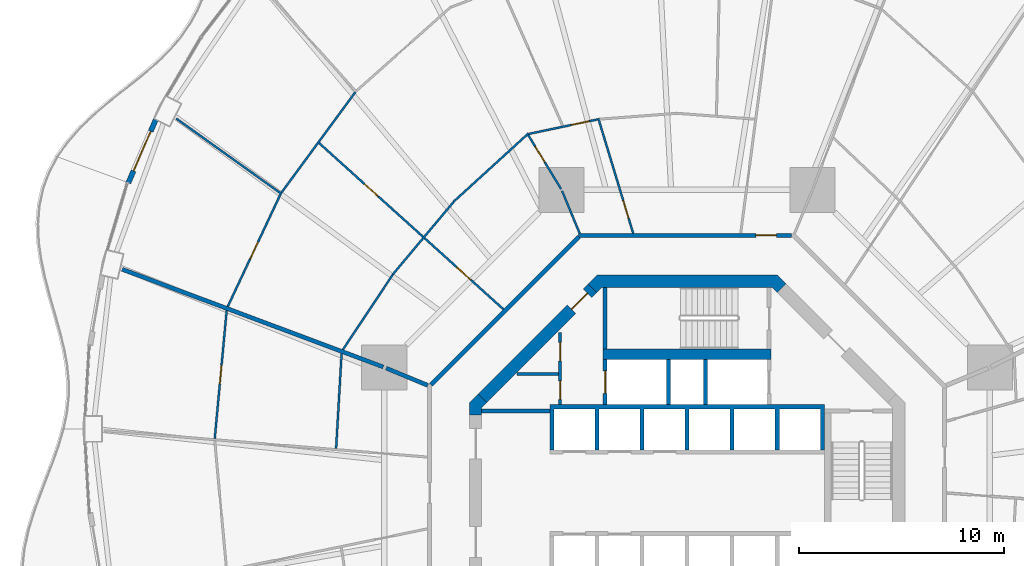
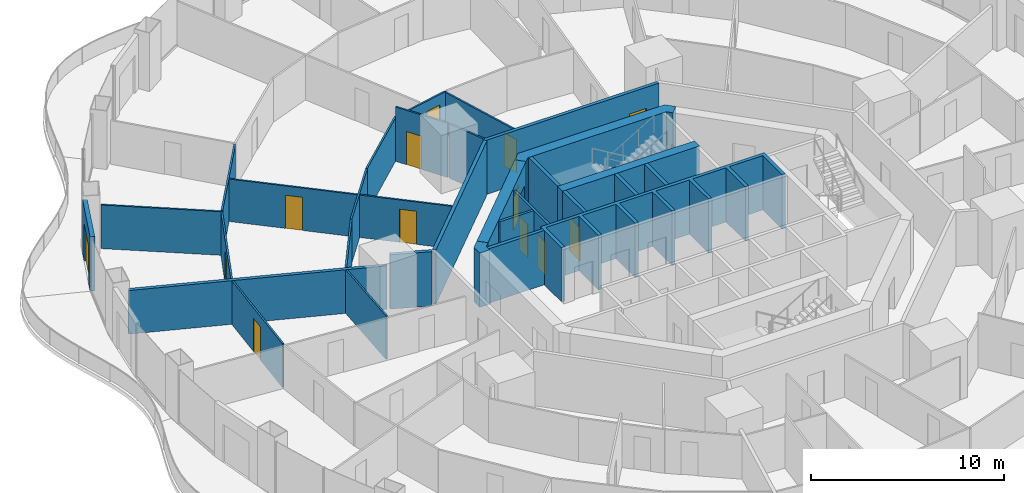
# One storey, part 17 of 22: 30 walls, 13 doors, 13 openings.
"""IFC4 building model written with IfcOpenShell, lengths in metres."""

from ifc_helpers import new_model, si_unit, direction, frame, frame_2d, origin, place, context, subcontext, project, spatial, polyline, rectangle, outline, extrude, material, layer, layer_set, type_object, element, fill, save


model = new_model("IFC4")

# Units and contexts
model_context = context("Model", 3, precision=1e-05, world=origin(), true_north=direction((0.0, 1.0)))
body_context = subcontext(model_context, "Body", "Model", "MODEL_VIEW")
ifc_project = project(units=[si_unit("LENGTHUNIT", "METRE"), si_unit("AREAUNIT", "SQUARE_METRE"), si_unit("VOLUMEUNIT", "CUBIC_METRE"), si_unit("PLANEANGLEUNIT", "RADIAN"), si_unit("MASSUNIT", "GRAM", prefix="KILO")], contexts=[model_context])

# Site, building, storey
site_placement = place(None, origin())
site = spatial("IfcSite", under=ifc_project, at=site_placement, CompositionType="ELEMENT")
building_placement = place(site_placement, origin())
building = spatial("IfcBuilding", under=site, at=building_placement, Name="Nagisa Residences", CompositionType="ELEMENT")
storey_placement = place(building_placement, frame((0.0, 0.0, 77.0)))
storey = spatial("IfcBuildingStorey", under=building, at=storey_placement, Name="L18", CompositionType="ELEMENT", Elevation=77.0)

# Walls
ifc_material_1 = material(Name="Gypsum board on steel studs", Category="steel")
ifc_layer_1 = layer(ifc_material_1, 0.199951171875)
ifc_layer_set_1 = layer_set([ifc_layer_1], Name="Apartment compartment wall EI60 200")
wall_type_1 = type_object("IfcWallType", Name="Apartment compartment wall EI60 200", PredefinedType="PARTITIONING", material=ifc_layer_set_1)
wall_1_placement = place(storey_placement, frame((-12.6572265625, 5.24267578125, 0.0), z_axis=(0.0, 0.0, 1.0), x_axis=(-0.923843626288, 0.382770106157, 0.0)))
element("IfcWall", 1, at=wall_1_placement, inside=storey, type_object=wall_type_1, Name="wall:L18:u02", PredefinedType="PARTITIONING", context=body_context, shape_type="SweptSolid", body=[
    extrude(rectangle(XDim=2.19921875, YDim=0.199951171875, at=frame_2d((1.099609375, 0.0))), origin(), (0.0, 0.0, 1.0), 3.43994140625),
])
wall_2_placement = place(storey_placement, frame((-14.828857421875, 6.140380859375, 0.0), z_axis=(0.0, 0.0, 1.0), x_axis=(-0.936597324342, 0.35040755134, 0.0)))
element("IfcWall", 2, at=wall_2_placement, inside=storey, type_object=wall_type_1, Name="wall:L18:u03", PredefinedType="PARTITIONING", context=body_context, shape_type="SweptSolid", body=[
    extrude(rectangle(XDim=13.605712890625, YDim=0.199951171875, at=frame_2d((6.802734375, 0.0))), origin(), (0.0, 0.0, 1.0), 2.761962890625),
])

# Wall, opening, door
ifc_material_2 = material(Name="Gypsum board on steel studs", Category="steel")
ifc_layer_2 = layer(ifc_material_2, 0.199951171875)
ifc_layer_set_2 = layer_set([ifc_layer_2], Name="Apartment entry wall EI60 200")
wall_type_2 = type_object("IfcWallType", Name="Apartment entry wall EI60 200", PredefinedType="PARTITIONING", material=ifc_layer_set_2)
wall_3_placement = place(storey_placement, frame((5.1044921875, 12.564697265625, 0.0), z_axis=(0.0, 0.0, 1.0), x_axis=(-1.0, 0.0, 0.0)))
wall_3 = element("IfcWall", 3, at=wall_3_placement, inside=storey, type_object=wall_type_2, Name="wall:L18:u10", PredefinedType="PARTITIONING", context=body_context, shape_type="SweptSolid", body=[
    extrude(rectangle(XDim=10.408935546875, YDim=0.199951171875, at=frame_2d((5.20458984375, 0.0))), origin(), (0.0, 0.0, 1.0), 3.43994140625),
])
opening_1_placement = place(wall_3_placement, frame((0.751220703125, 0.0, 0.0)))
opening_1 = element("IfcOpeningElement", 4, at=opening_1_placement, cuts=wall_3, Name="Opening L18-U01", PredefinedType="OPENING", context=body_context, shape_type="SweptSolid", body=[
    extrude(rectangle(XDim=1.0, YDim=2.10009765625, at=frame_2d((0.5, 1.050048828125))), frame((0.0, 0.10986328125, 0.0), z_axis=(0.0, -1.0, 0.0), x_axis=(1.0, 0.0, 0.0)), (0.0, 0.0, 1.0), 0.219970703125),
])
ifc_material_3 = material(Name="Timber fire door set", Category="wood")
door_type_1 = type_object("IfcDoorType", Name="Apartment entry door FD30S 1000x2100", OperationType="NOTDEFINED", PredefinedType="DOOR", material=ifc_material_3)
door_1_placement = place(opening_1_placement, frame((1.0, 0.0, 0.0), x_axis=(-1.0, 0.0, 0.0)))
door_1 = element("IfcDoor", 5, at=door_1_placement, inside=storey, type_object=door_type_1, Name="Entry door, Apartment 18A", OperationType="SINGLE_SWING_RIGHT", OverallHeight=2.10009765625, OverallWidth=1.0, PredefinedType="DOOR", context=body_context, shape_type="SweptSolid", body=[
    extrude(rectangle(XDim=1.0, YDim=2.10009765625, at=frame_2d((0.5, 1.050048828125))), frame((0.0, 0.02490234375, 0.0), z_axis=(0.0, -1.0, 0.0), x_axis=(1.0, 0.0, 0.0)), (0.0, 0.0, 1.0), 0.050048828125),
])
fill(opening_1, door_1)

# Wall
wall_4_placement = place(storey_placement, frame((-5.275146484375, 12.494140625, 0.0), z_axis=(0.0, 0.0, 1.0), x_axis=(-0.707106781187, -0.707106781187, 0.0)))
element("IfcWall", 6, at=wall_4_placement, inside=storey, type_object=wall_type_2, Name="wall:L18:u11", PredefinedType="PARTITIONING", context=body_context, shape_type="SweptSolid", body=[
    extrude(rectangle(XDim=10.209228515625, YDim=0.199951171875, at=frame_2d((5.1044921875, 0.0))), origin(), (0.0, 0.0, 1.0), 3.43994140625),
])

# Wall, opening, door
ifc_material_4 = material(Name="Gypsum board on steel studs", Category="steel")
ifc_layer_3 = layer(ifc_material_4, 0.10009765625)
ifc_layer_set_3 = layer_set([ifc_layer_3], Name="Apartment partition 100")
wall_type_3 = type_object("IfcWallType", Name="Apartment partition 100", PredefinedType="PARTITIONING", material=ifc_layer_set_3)
wall_5_placement = place(storey_placement, frame((-2.63134765625, 12.660400390625, 0.0), z_axis=(0.0, 0.0, 1.0), x_axis=(-0.290145836284, 0.956982441682, 0.0)))
wall_5 = element("IfcWall", 7, at=wall_5_placement, inside=storey, type_object=wall_type_3, Name="wall:L18:u38", PredefinedType="PARTITIONING", context=body_context, shape_type="SweptSolid", body=[
    extrude(rectangle(XDim=5.873291015625, YDim=0.10009765625, at=frame_2d((2.9365234375, 0.0))), origin(), (0.0, 0.0, 1.0), 2.68701171875),
])
opening_2_placement = place(wall_5_placement, frame((0.772216796875, 0.0, 0.0)))
opening_2 = element("IfcOpeningElement", 8, at=opening_2_placement, cuts=wall_5, Name="Opening L18-U04", PredefinedType="OPENING", context=body_context, shape_type="SweptSolid", body=[
    extrude(rectangle(XDim=0.89990234375, YDim=2.10009765625, at=frame_2d((0.449951171875, 1.050048828125))), frame((0.0, 0.06005859375, 0.0), z_axis=(0.0, -1.0, 0.0), x_axis=(1.0, 0.0, 0.0)), (0.0, 0.0, 1.0), 0.1201171875),
])
ifc_material_5 = material(Name="Timber door set", Category="wood")
door_type_2 = type_object("IfcDoorType", Name="Apartment door 900x2100", OperationType="NOTDEFINED", PredefinedType="DOOR", material=ifc_material_5)
door_2_placement = place(opening_2_placement, origin())
door_2 = element("IfcDoor", 9, at=door_2_placement, inside=storey, type_object=door_type_2, Name="Door to laundry, Apartment 18A", OperationType="SINGLE_SWING_RIGHT", OverallHeight=2.10009765625, OverallWidth=0.89990234375, PredefinedType="DOOR", context=body_context, shape_type="SweptSolid", body=[
    extrude(rectangle(XDim=0.89990234375, YDim=2.10009765625, at=frame_2d((0.449951171875, 1.050048828125))), frame((0.0, 0.02490234375, 0.0), z_axis=(0.0, -1.0, 0.0), x_axis=(1.0, 0.0, 0.0)), (0.0, 0.0, 1.0), 0.050048828125),
])
fill(opening_2, door_2)

wall_6_placement = place(storey_placement, frame((-4.369873046875, 18.222900390625, 0.0), z_axis=(0.0, 0.0, 1.0), x_axis=(-0.978619056583, -0.205681166112, 0.0)))
wall_6 = element("IfcWall", 10, at=wall_6_placement, inside=storey, type_object=wall_type_3, Name="wall:L18:u39", PredefinedType="PARTITIONING", context=body_context, shape_type="SweptSolid", body=[
    extrude(rectangle(XDim=3.4375, YDim=0.10009765625, at=frame_2d((1.71875, 0.0))), origin(), (0.0, 0.0, 1.0), 2.761962890625),
])
opening_3_placement = place(wall_6_placement, frame((0.409423828125, 0.0, 0.0)))
opening_3 = element("IfcOpeningElement", 11, at=opening_3_placement, cuts=wall_6, Name="Opening L18-U09", PredefinedType="OPENING", context=body_context, shape_type="SweptSolid", body=[
    extrude(rectangle(XDim=0.89990234375, YDim=2.10009765625, at=frame_2d((0.449951171875, 1.050048828125))), frame((0.0, 0.06005859375, 0.0), z_axis=(0.0, -1.0, 0.0), x_axis=(1.0, 0.0, 0.0)), (0.0, 0.0, 1.0), 0.1201171875),
])
door_3_placement = place(opening_3_placement, frame((0.89990234375, 0.0, 0.0), x_axis=(-1.0, 0.0, 0.0)))
door_3 = element("IfcDoor", 12, at=door_3_placement, inside=storey, type_object=door_type_2, Name="Door to dining room, Apartment 18A", OperationType="SINGLE_SWING_RIGHT", OverallHeight=2.10009765625, OverallWidth=0.89990234375, PredefinedType="DOOR", context=body_context, shape_type="SweptSolid", body=[
    extrude(rectangle(XDim=0.89990234375, YDim=2.10009765625, at=frame_2d((0.449951171875, 1.050048828125))), frame((0.0, 0.02490234375, 0.0), z_axis=(0.0, -1.0, 0.0), x_axis=(1.0, 0.0, 0.0)), (0.0, 0.0, 1.0), 0.050048828125),
])
fill(opening_3, door_3)

# Wall
wall_7_placement = place(storey_placement, frame((-5.24267578125, 12.6572265625, 0.0), z_axis=(0.0, 0.0, 1.0), x_axis=(-0.382703272338, 0.923871314276, 0.0)))
element("IfcWall", 13, at=wall_7_placement, inside=storey, type_object=wall_type_3, Name="wall:L18:u42", PredefinedType="PARTITIONING", context=body_context, shape_type="SweptSolid", body=[
    extrude(rectangle(XDim=2.249267578125, YDim=0.10009765625, at=frame_2d((1.12451171875, 0.0))), origin(), (0.0, 0.0, 1.0), 3.43994140625),
])

# Wall, opening, door
wall_8_placement = place(storey_placement, frame((-6.14892578125, 14.82470703125, 0.0), z_axis=(0.0, 0.0, 1.0), x_axis=(-0.520433196839, 0.853902387646, 0.0)))
wall_8 = element("IfcWall", 14, at=wall_8_placement, inside=storey, type_object=wall_type_3, Name="wall:L18:u43", PredefinedType="PARTITIONING", context=body_context, shape_type="SweptSolid", body=[
    extrude(rectangle(XDim=3.089599609375, YDim=0.10009765625, at=frame_2d((1.544921875, 0.0))), origin(), (0.0, 0.0, 1.0), 3.43994140625),
])
opening_4_placement = place(wall_8_placement, frame((1.54150390625, 0.0, 0.0)))
opening_4 = element("IfcOpeningElement", 15, at=opening_4_placement, cuts=wall_8, Name="Opening L18-U05", PredefinedType="OPENING", context=body_context, shape_type="SweptSolid", body=[
    extrude(rectangle(XDim=0.89990234375, YDim=2.10009765625, at=frame_2d((0.449951171875, 1.050048828125))), frame((0.0, 0.06005859375, 0.0), z_axis=(0.0, -1.0, 0.0), x_axis=(1.0, 0.0, 0.0)), (0.0, 0.0, 1.0), 0.1201171875),
])
door_4_placement = place(opening_4_placement, origin())
door_4 = element("IfcDoor", 16, at=door_4_placement, inside=storey, type_object=door_type_2, Name="Door to store, Apartment 18A", OperationType="SINGLE_SWING_LEFT", OverallHeight=2.10009765625, OverallWidth=0.89990234375, PredefinedType="DOOR", context=body_context, shape_type="SweptSolid", body=[
    extrude(rectangle(XDim=0.89990234375, YDim=2.10009765625, at=frame_2d((0.449951171875, 1.050048828125))), frame((0.0, 0.02490234375, 0.0), z_axis=(0.0, -1.0, 0.0), x_axis=(1.0, 0.0, 0.0)), (0.0, 0.0, 1.0), 0.050048828125),
])
fill(opening_4, door_4)

# Walls
wall_9_placement = place(storey_placement, frame((-7.745849609375, 17.539306640625, 0.0), z_axis=(0.0, 0.0, 1.0), x_axis=(-0.738860434967, -0.673858484877, 0.0)))
element("IfcWall", 17, at=wall_9_placement, inside=storey, type_object=wall_type_3, Name="wall:L18:u44", PredefinedType="PARTITIONING", context=body_context, shape_type="SweptSolid", body=[
    extrude(rectangle(XDim=4.946533203125, YDim=0.10009765625, at=frame_2d((2.47314453125, 0.0))), origin(), (0.0, 0.0, 1.0), 2.761962890625),
])
wall_10_placement = place(storey_placement, frame((-11.39599609375, 14.20166015625, 0.0), z_axis=(0.0, 0.0, 1.0), x_axis=(-0.642475660273, -0.766306091557, 0.0)))
element("IfcWall", 18, at=wall_10_placement, inside=storey, type_object=wall_type_3, Name="wall:L18:u46", PredefinedType="PARTITIONING", context=body_context, shape_type="SweptSolid", body=[
    extrude(rectangle(XDim=4.63720703125, YDim=0.10009765625, at=frame_2d((2.318603515625, 0.0))), origin(), (0.0, 0.0, 1.0), 2.761962890625),
])
wall_11_placement = place(storey_placement, frame((-16.197265625, 19.55126953125, 0.0), z_axis=(0.0, 0.0, 1.0), x_axis=(-0.592391983588, -0.80564988536, 0.0)))
element("IfcWall", 19, at=wall_11_placement, inside=storey, type_object=wall_type_3, Name="wall:L18:u48", PredefinedType="PARTITIONING", context=body_context, shape_type="SweptSolid", body=[
    extrude(rectangle(XDim=6.080078125, YDim=0.10009765625, at=frame_2d((3.0400390625, 0.0))), origin(), (0.0, 0.0, 1.0), 2.761962890625),
])

# Wall, openings, doors
wall_12_placement = place(storey_placement, frame((-8.958984375, 8.95166015625, 0.0), z_axis=(0.0, 0.0, 1.0), x_axis=(-0.742679904999, 0.669646592398, 0.0)))
wall_12 = element("IfcWall", 20, at=wall_12_placement, inside=storey, type_object=wall_type_3, Name="wall:L18:u49", PredefinedType="PARTITIONING", context=body_context, shape_type="SweptSolid", body=[
    extrude(rectangle(XDim=12.121337890625, YDim=0.10009765625, at=frame_2d((6.060546875, 0.0))), origin(), (0.0, 0.0, 1.0), 2.68701171875),
])
opening_5_placement = place(wall_12_placement, frame((2.172119140625, 0.0, 0.0)))
opening_5 = element("IfcOpeningElement", 21, at=opening_5_placement, cuts=wall_12, Name="Opening L18-U06", PredefinedType="OPENING", context=body_context, shape_type="SweptSolid", body=[
    extrude(rectangle(XDim=0.89990234375, YDim=2.10009765625, at=frame_2d((0.449951171875, 1.050048828125))), frame((0.0, 0.06005859375, 0.0), z_axis=(0.0, -1.0, 0.0), x_axis=(1.0, 0.0, 0.0)), (0.0, 0.0, 1.0), 0.1201171875),
])
opening_6_placement = place(wall_12_placement, frame((8.232666015625, 0.0, 0.0)))
opening_6 = element("IfcOpeningElement", 22, at=opening_6_placement, cuts=wall_12, Name="Opening L18-U11", PredefinedType="OPENING", context=body_context, shape_type="SweptSolid", body=[
    extrude(rectangle(XDim=0.89990234375, YDim=2.10009765625, at=frame_2d((0.449951171875, 1.050048828125))), frame((0.0, 0.06005859375, 0.0), z_axis=(0.0, -1.0, 0.0), x_axis=(1.0, 0.0, 0.0)), (0.0, 0.0, 1.0), 0.1201171875),
])
door_5_placement = place(opening_5_placement, origin())
door_5 = element("IfcDoor", 23, at=door_5_placement, inside=storey, type_object=door_type_2, Name="Door to laundry, Apartment 18A", OperationType="SINGLE_SWING_RIGHT", OverallHeight=2.10009765625, OverallWidth=0.89990234375, PredefinedType="DOOR", context=body_context, shape_type="SweptSolid", body=[
    extrude(rectangle(XDim=0.89990234375, YDim=2.10009765625, at=frame_2d((0.449951171875, 1.050048828125))), frame((0.0, 0.02490234375, 0.0), z_axis=(0.0, -1.0, 0.0), x_axis=(1.0, 0.0, 0.0)), (0.0, 0.0, 1.0), 0.050048828125),
])
fill(opening_5, door_5)
door_6_placement = place(opening_6_placement, origin())
door_6 = element("IfcDoor", 24, at=door_6_placement, inside=storey, type_object=door_type_2, Name="Door to dining room, Apartment 18A", OperationType="SINGLE_SWING_LEFT", OverallHeight=2.10009765625, OverallWidth=0.89990234375, PredefinedType="DOOR", context=body_context, shape_type="SweptSolid", body=[
    extrude(rectangle(XDim=0.89990234375, YDim=2.10009765625, at=frame_2d((0.449951171875, 1.050048828125))), frame((0.0, 0.02490234375, 0.0), z_axis=(0.0, -1.0, 0.0), x_axis=(1.0, 0.0, 0.0)), (0.0, 0.0, 1.0), 0.050048828125),
])
fill(opening_6, door_6)

# Walls
wall_13_placement = place(storey_placement, frame((-14.370849609375, 10.64501953125, 0.0), z_axis=(0.0, 0.0, 1.0), x_axis=(-0.553341009285, -0.832954817168, 0.0)))
element("IfcWall", 25, at=wall_13_placement, inside=storey, type_object=wall_type_3, Name="wall:L18:u50", PredefinedType="PARTITIONING", context=body_context, shape_type="SweptSolid", body=[
    extrude(rectangle(XDim=4.396240234375, YDim=0.10009765625, at=frame_2d((2.1982421875, 0.0))), origin(), (0.0, 0.0, 1.0), 2.761962890625),
])
wall_14_placement = place(storey_placement, frame((-19.7880859375, 14.58349609375, 0.0), z_axis=(0.0, 0.0, 1.0), x_axis=(-0.813175286569, 0.58201885993, 0.0)))
element("IfcWall", 26, at=wall_14_placement, inside=storey, type_object=wall_type_3, Name="wall:L18:u51", PredefinedType="PARTITIONING", context=body_context, shape_type="SweptSolid", body=[
    extrude(rectangle(XDim=6.32861328125, YDim=0.10009765625, at=frame_2d((3.164306640625, 0.0))), origin(), (0.0, 0.0, 1.0), 2.761962890625),
])

# Wall, opening, door
wall_15_placement = place(storey_placement, frame((-19.85009765625, 14.5673828125, 0.0), z_axis=(0.0, 0.0, 1.0), x_axis=(-0.424942210745, -0.905220480064, 0.0)))
wall_15 = element("IfcWall", 27, at=wall_15_placement, inside=storey, type_object=wall_type_3, Name="wall:L18:u52", PredefinedType="PARTITIONING", context=body_context, shape_type="SweptSolid", body=[
    extrude(rectangle(XDim=6.05322265625, YDim=0.10009765625, at=frame_2d((3.026611328125, 0.0))), origin(), (0.0, 0.0, 1.0), 2.761962890625),
])
opening_7_placement = place(wall_15_placement, frame((2.57666015625, 0.0, 0.0)))
opening_7 = element("IfcOpeningElement", 28, at=opening_7_placement, cuts=wall_15, Name="Opening L18-U18", PredefinedType="OPENING", context=body_context, shape_type="SweptSolid", body=[
    extrude(rectangle(XDim=0.89990234375, YDim=2.10009765625, at=frame_2d((0.449951171875, 1.050048828125))), frame((0.0, 0.06005859375, 0.0), z_axis=(0.0, -1.0, 0.0), x_axis=(1.0, 0.0, 0.0)), (0.0, 0.0, 1.0), 0.1201171875),
])
door_7_placement = place(opening_7_placement, frame((0.89990234375, 0.0, 0.0), x_axis=(-1.0, 0.0, 0.0)))
door_7 = element("IfcDoor", 29, at=door_7_placement, inside=storey, type_object=door_type_2, Name="Door to dining room, Apartment 18A", OperationType="SINGLE_SWING_LEFT", OverallHeight=2.10009765625, OverallWidth=0.89990234375, PredefinedType="DOOR", context=body_context, shape_type="SweptSolid", body=[
    extrude(rectangle(XDim=0.89990234375, YDim=2.10009765625, at=frame_2d((0.449951171875, 1.050048828125))), frame((0.0, 0.02490234375, 0.0), z_axis=(0.0, -1.0, 0.0), x_axis=(1.0, 0.0, 0.0)), (0.0, 0.0, 1.0), 0.050048828125),
])
fill(opening_7, door_7)

# Wall
wall_16_placement = place(storey_placement, frame((-16.864501953125, 6.800048828125, 0.0), z_axis=(0.0, 0.0, 1.0), x_axis=(-0.057758567218, -0.998330580476, 0.0)))
element("IfcWall", 30, at=wall_16_placement, inside=storey, type_object=wall_type_3, Name="wall:L18:u53", PredefinedType="PARTITIONING", context=body_context, shape_type="SweptSolid", body=[
    extrude(rectangle(XDim=4.649658203125, YDim=0.10009765625, at=frame_2d((2.32470703125, 0.0))), origin(), (0.0, 0.0, 1.0), 2.761962890625),
])

# Wall, opening, door
wall_17_placement = place(storey_placement, frame((-22.47412109375, 8.897705078125, 0.0), z_axis=(0.0, 0.0, 1.0), x_axis=(-0.092756864489, -0.995688788774, 0.0)))
wall_17 = element("IfcWall", 31, at=wall_17_placement, inside=storey, type_object=wall_type_3, Name="wall:L18:u54", PredefinedType="PARTITIONING", context=body_context, shape_type="SweptSolid", body=[
    extrude(rectangle(XDim=6.28271484375, YDim=0.10009765625, at=frame_2d((3.141357421875, 0.0))), origin(), (0.0, 0.0, 1.0), 2.761962890625),
])
opening_8_placement = place(wall_17_placement, frame((2.69140625, 0.0, 0.0)))
opening_8 = element("IfcOpeningElement", 32, at=opening_8_placement, cuts=wall_17, Name="Opening L18-U27", PredefinedType="OPENING", context=body_context, shape_type="SweptSolid", body=[
    extrude(rectangle(XDim=0.89990234375, YDim=2.10009765625, at=frame_2d((0.449951171875, 1.050048828125))), frame((0.0, 0.06005859375, 0.0), z_axis=(0.0, -1.0, 0.0), x_axis=(1.0, 0.0, 0.0)), (0.0, 0.0, 1.0), 0.1201171875),
])
door_8_placement = place(opening_8_placement, frame((0.89990234375, 0.0, 0.0), x_axis=(-1.0, 0.0, 0.0)))
door_8 = element("IfcDoor", 33, at=door_8_placement, inside=storey, type_object=door_type_2, Name="Door to master bedroom, Apartment 18B", OperationType="SINGLE_SWING_RIGHT", OverallHeight=2.10009765625, OverallWidth=0.89990234375, PredefinedType="DOOR", context=body_context, shape_type="SweptSolid", body=[
    extrude(rectangle(XDim=0.89990234375, YDim=2.10009765625, at=frame_2d((0.449951171875, 1.050048828125))), frame((0.0, 0.02490234375, 0.0), z_axis=(0.0, -1.0, 0.0), x_axis=(1.0, 0.0, 0.0)), (0.0, 0.0, 1.0), 0.050048828125),
])
fill(opening_8, door_8)

ifc_material_6 = material(Name="Precast concrete C40/50", Category="concrete")
ifc_layer_4 = layer(ifc_material_6, 0.25)
ifc_layer_set_4 = layer_set([ifc_layer_4], Name="BALCONY DOOR WALL 250")
wall_type_4 = type_object("IfcWallType", Name="BALCONY DOOR WALL 250", PredefinedType="SOLIDWALL", material=ifc_layer_set_4)
wall_18_placement = place(storey_placement, frame((-27.272216796875, 15.128173828125, 0.0), z_axis=(0.0, 0.0, 1.0), x_axis=(0.397682447205, 0.917523117521, 0.0)))
wall_18 = element("IfcWall", 34, at=wall_18_placement, inside=storey, type_object=wall_type_4, Name="wall:L18:bay20", PredefinedType="SOLIDWALL", context=body_context, shape_type="SweptSolid", body=[
    extrude(rectangle(XDim=3.379638671875, YDim=0.25, at=frame_2d((1.68994140625, 0.0))), origin(), (0.0, 0.0, 1.0), 3.43994140625),
])
opening_9_placement = place(wall_18_placement, frame((0.6396484375, 0.0, 0.0)))
opening_9 = element("IfcOpeningElement", 35, at=opening_9_placement, cuts=wall_18, Name="Opening BD-L18-07", PredefinedType="OPENING", context=body_context, shape_type="SweptSolid", body=[
    extrude(rectangle(XDim=2.10009765625, YDim=2.39990234375, at=frame_2d((1.050048828125, 1.199951171875))), frame((0.0, 0.135009765625, 0.0), z_axis=(0.0, -1.0, 0.0), x_axis=(1.0, 0.0, 0.0)), (0.0, 0.0, 1.0), 0.27001953125),
])
ifc_material_7 = material(Name="Aluminium and clear glass", Category="aluminium")
door_type_3 = type_object("IfcDoorType", Name="BALCONY SLIDING DOOR 2100x2400", OperationType="SLIDING_TO_LEFT", PredefinedType="DOOR", material=ifc_material_7)
door_9_placement = place(opening_9_placement, origin())
door_9 = element("IfcDoor", 36, at=door_9_placement, inside=storey, type_object=door_type_3, Name="door:L18:bay20", OperationType="SLIDING_TO_LEFT", OverallHeight=2.39990234375, OverallWidth=2.10009765625, PredefinedType="DOOR", context=body_context, shape_type="SweptSolid", body=[
    extrude(rectangle(XDim=2.10009765625, YDim=2.39990234375, at=frame_2d((1.050048828125, 1.199951171875))), frame((0.0, 0.02490234375, 0.0), z_axis=(0.0, -1.0, 0.0), x_axis=(1.0, 0.0, 0.0)), (0.0, 0.0, 1.0), 0.050048828125),
])
fill(opening_9, door_9)

# Wall, openings, doors
ifc_material_8 = material(Name="Gypsum board on steel studs", Category="steel")
ifc_layer_5 = layer(ifc_material_8, 0.14990234375)
ifc_layer_set_5 = layer_set([ifc_layer_5], Name="Core partition 150")
wall_type_5 = type_object("IfcWallType", Name="Core partition 150", PredefinedType="PARTITIONING", material=ifc_layer_set_5)
wall_19_placement = place(storey_placement, frame((-6.199951171875, 4.300048828125, 0.0), z_axis=(0.0, 0.0, 1.0), x_axis=(0.0, 1.0, 0.0)))
wall_19 = element("IfcWall", 37, at=wall_19_placement, inside=storey, type_object=wall_type_5, Name="wall:L18:NWp", PredefinedType="PARTITIONING", context=body_context, shape_type="SweptSolid", body=[
    extrude(rectangle(XDim=3.52685546875, YDim=0.14990234375, at=frame_2d((1.763427734375, 0.0))), origin(), (0.0, 0.0, 1.0), 3.43994140625),
])
opening_10_placement = place(wall_19_placement, frame((0.262451171875, 0.0, 0.0)))
opening_10 = element("IfcOpeningElement", 38, at=opening_10_placement, cuts=wall_19, Name="Opening L18-C12", PredefinedType="OPENING", context=body_context, shape_type="SweptSolid", body=[
    extrude(rectangle(XDim=0.89990234375, YDim=2.10009765625, at=frame_2d((0.449951171875, 1.050048828125))), frame((0.0, 0.0849609375, 0.0), z_axis=(0.0, -1.0, 0.0), x_axis=(1.0, 0.0, 0.0)), (0.0, 0.0, 1.0), 0.169921875),
])
opening_11_placement = place(wall_19_placement, frame((2.138427734375, 0.0, 0.0)))
opening_11 = element("IfcOpeningElement", 39, at=opening_11_placement, cuts=wall_19, Name="Opening L18-C13", PredefinedType="OPENING", context=body_context, shape_type="SweptSolid", body=[
    extrude(rectangle(XDim=0.89990234375, YDim=2.10009765625, at=frame_2d((0.449951171875, 1.050048828125))), frame((0.0, 0.0849609375, 0.0), z_axis=(0.0, -1.0, 0.0), x_axis=(1.0, 0.0, 0.0)), (0.0, 0.0, 1.0), 0.169921875),
])
ifc_material_9 = material(Name="Steel fire door", Category="steel")
door_type_4 = type_object("IfcDoorType", Name="Fire door EI30 900x2100 single swing", OperationType="NOTDEFINED", PredefinedType="DOOR", material=ifc_material_9)
door_10_placement = place(opening_10_placement, origin())
door_10 = element("IfcDoor", 40, at=door_10_placement, inside=storey, type_object=door_type_4, Name="Electrical room door L18", OperationType="SINGLE_SWING_LEFT", OverallHeight=2.10009765625, OverallWidth=0.89990234375, PredefinedType="DOOR", context=body_context, shape_type="SweptSolid", body=[
    extrude(rectangle(XDim=0.89990234375, YDim=2.10009765625, at=frame_2d((0.449951171875, 1.050048828125))), frame((0.0, 0.02490234375, 0.0), z_axis=(0.0, -1.0, 0.0), x_axis=(1.0, 0.0, 0.0)), (0.0, 0.0, 1.0), 0.050048828125),
])
fill(opening_10, door_10)
door_11_placement = place(opening_11_placement, origin())
door_11 = element("IfcDoor", 41, at=door_11_placement, inside=storey, type_object=door_type_4, Name="Telecom room door L18", OperationType="SINGLE_SWING_LEFT", OverallHeight=2.10009765625, OverallWidth=0.89990234375, PredefinedType="DOOR", context=body_context, shape_type="SweptSolid", body=[
    extrude(rectangle(XDim=0.89990234375, YDim=2.10009765625, at=frame_2d((0.449951171875, 1.050048828125))), frame((0.0, 0.02490234375, 0.0), z_axis=(0.0, -1.0, 0.0), x_axis=(1.0, 0.0, 0.0)), (0.0, 0.0, 1.0), 0.050048828125),
])
fill(opening_11, door_11)

# Walls
wall_20_placement = place(storey_placement, frame((-8.301025390625, 5.800048828125, 0.0), z_axis=(0.0, 0.0, 1.0), x_axis=(1.0, 0.0, 0.0)))
element("IfcWall", 42, at=wall_20_placement, inside=storey, type_object=wall_type_5, Name="wall:L18:NWq", PredefinedType="PARTITIONING", context=body_context, shape_type="SweptSolid", body=[
    extrude(rectangle(XDim=2.026123046875, YDim=0.14990234375, at=frame_2d((1.01318359375, 0.0))), origin(), (0.0, 0.0, 1.0), 3.43994140625),
])
ifc_material_10 = material(Name="Gypsum board on steel studs", Category="steel")
ifc_layer_6 = layer(ifc_material_10, 0.199951171875)
ifc_layer_set_6 = layer_set([ifc_layer_6], Name="Core partition 200")
wall_type_6 = type_object("IfcWallType", Name="Core partition 200", PredefinedType="PARTITIONING", material=ifc_layer_set_6)
wall_21_placement = place(storey_placement, frame((-10.024658203125, 4.0, 0.0), z_axis=(0.0, 0.0, 1.0), x_axis=(1.0, 0.0, 0.0)))
element("IfcWall", 43, at=wall_21_placement, inside=storey, type_object=wall_type_6, Name="wall:L18:PNW", PredefinedType="PARTITIONING", context=body_context, shape_type="SweptSolid", body=[
    extrude(rectangle(XDim=3.32470703125, YDim=0.199951171875, at=frame_2d((1.662353515625, 0.0))), origin(), (0.0, 0.0, 1.0), 3.43994140625),
])

# Wall, opening, door
ifc_material_11 = material(Name="Concrete C60", Category="concrete")
ifc_layer_7 = layer(ifc_material_11, 0.60009765625)
ifc_layer_set_7 = layer_set([ifc_layer_7], Name="Core shear wall 600")
wall_type_7 = type_object("IfcWallType", Name="Core shear wall 600", PredefinedType="SHEAR", material=ifc_layer_set_7)
wall_22_placement = place(storey_placement, frame((-4.613037109375, 9.98828125, 0.0), z_axis=(0.0, 0.0, 1.0), x_axis=(-0.707106781187, -0.707106781187, 0.0)))
wall_22 = element("IfcWall", 44, at=wall_22_placement, inside=storey, type_object=wall_type_7, Name="wall:L18:core:flat3", PredefinedType="SHEAR", context=body_context, shape_type="SweptSolid", body=[
    extrude(rectangle(XDim=7.601806640625, YDim=0.60009765625, at=frame_2d((3.80078125, 0.0))), origin(), (0.0, 0.0, 1.0), 3.43994140625),
])
opening_12_placement = place(wall_22_placement, frame((0.350830078125, 0.0, 0.0)))
opening_12 = element("IfcOpeningElement", 45, at=opening_12_placement, cuts=wall_22, Name="Opening L18-C20", PredefinedType="OPENING", context=body_context, shape_type="SweptSolid", body=[
    extrude(rectangle(XDim=1.10009765625, YDim=2.10009765625, at=frame_2d((0.550048828125, 1.050048828125))), frame((0.0, 0.31005859375, 0.0), z_axis=(0.0, -1.0, 0.0), x_axis=(1.0, 0.0, 0.0)), (0.0, 0.0, 1.0), 0.6201171875),
])
ifc_material_12 = material(Name="Steel fire door", Category="steel")
door_type_5 = type_object("IfcDoorType", Name="Fire door EI60 1100x2100 single swing", OperationType="NOTDEFINED", PredefinedType="DOOR", material=ifc_material_12)
door_12_placement = place(opening_12_placement, origin())
door_12 = element("IfcDoor", 46, at=door_12_placement, inside=storey, type_object=door_type_5, Name="Service lobby door L18", OperationType="SINGLE_SWING_LEFT", OverallHeight=2.10009765625, OverallWidth=1.10009765625, PredefinedType="DOOR", context=body_context, shape_type="SweptSolid", body=[
    extrude(rectangle(XDim=1.10009765625, YDim=2.10009765625, at=frame_2d((0.550048828125, 1.050048828125))), frame((0.0, 0.02490234375, 0.0), z_axis=(0.0, -1.0, 0.0), x_axis=(1.0, 0.0, 0.0)), (0.0, 0.0, 1.0), 0.050048828125),
])
fill(opening_12, door_12)

# Walls
wall_23_placement = place(storey_placement, origin())
element("IfcWall", 47, at=wall_23_placement, inside=storey, type_object=wall_type_7, Name="wall:L18:core:pier3", PredefinedType="SHEAR", context=body_context, shape_type="SweptSolid", body=[
    extrude(outline(polyline([(-10.200439453125, 4.8251953125), (-9.776123046875, 4.40087890625), (-10.024658203125, 4.15234375), (-10.024658203125, 3.80078125), (-10.62451171875, 3.80078125), (-10.62451171875, 4.40087890625), (-10.200439453125, 4.8251953125)])), origin(), (0.0, 0.0, 1.0), 3.43994140625),
])
wall_24_placement = place(storey_placement, origin())
element("IfcWall", 48, at=wall_24_placement, inside=storey, type_object=wall_type_7, Name="wall:L18:core:flat2", PredefinedType="SHEAR", context=body_context, shape_type="SweptSolid", body=[
    extrude(outline(polyline([(-4.15234375, 10.024658203125), (-4.40087890625, 9.776123046875), (-4.8251953125, 10.200439453125), (-4.40087890625, 10.62451171875), (4.40087890625, 10.62451171875), (4.8251953125, 10.200439453125), (4.40087890625, 9.776123046875), (4.15234375, 10.024658203125), (-4.15234375, 10.024658203125)])), origin(), (0.0, 0.0, 1.0), 3.43994140625),
])

# Wall, opening, door
ifc_material_13 = material(Name="Concrete C60", Category="concrete")
ifc_layer_8 = layer(ifc_material_13, 0.199951171875)
ifc_layer_set_8 = layer_set([ifc_layer_8], Name="Lift shaft wall 200")
wall_type_8 = type_object("IfcWallType", Name="Lift shaft wall 200", PredefinedType="SOLIDWALL", material=ifc_layer_set_8)
wall_25_placement = place(storey_placement, frame((-4.0, 4.300048828125, 0.0), z_axis=(0.0, 0.0, 1.0), x_axis=(0.0, 1.0, 0.0)))
wall_25 = element("IfcWall", 49, at=wall_25_placement, inside=storey, type_object=wall_type_8, Name="wall:L18:Nb4", PredefinedType="SOLIDWALL", context=body_context, shape_type="SweptSolid", body=[
    extrude(rectangle(XDim=2.199951171875, YDim=0.199951171875, at=frame_2d((1.10009765625, 0.0))), origin(), (0.0, 0.0, 1.0), 3.43994140625),
])
opening_13_placement = place(wall_25_placement, frame((0.550048828125, 0.0, 0.0)))
opening_13 = element("IfcOpeningElement", 50, at=opening_13_placement, cuts=wall_25, Name="Opening L18-C08", PredefinedType="OPENING", context=body_context, shape_type="SweptSolid", body=[
    extrude(rectangle(XDim=1.10009765625, YDim=2.10009765625, at=frame_2d((0.550048828125, 1.050048828125))), frame((0.0, 0.10986328125, 0.0), z_axis=(0.0, -1.0, 0.0), x_axis=(1.0, 0.0, 0.0)), (0.0, 0.0, 1.0), 0.219970703125),
])
ifc_material_14 = material(Name="Stainless steel", Category="steel")
door_type_6 = type_object("IfcDoorType", Name="Lift landing door 1100x2100", OperationType="DOUBLE_DOOR_SLIDING", PredefinedType="DOOR", material=ifc_material_14)
door_13_placement = place(opening_13_placement, origin())
door_13 = element("IfcDoor", 51, at=door_13_placement, inside=storey, type_object=door_type_6, Name="Landing door SV L18", OperationType="DOUBLE_DOOR_SLIDING", OverallHeight=2.10009765625, OverallWidth=1.10009765625, PredefinedType="DOOR", context=body_context, shape_type="SweptSolid", body=[
    extrude(rectangle(XDim=1.10009765625, YDim=2.10009765625, at=frame_2d((0.550048828125, 1.050048828125))), frame((0.0, 0.02490234375, 0.0), z_axis=(0.0, -1.0, 0.0), x_axis=(1.0, 0.0, 0.0)), (0.0, 0.0, 1.0), 0.050048828125),
])
fill(opening_13, door_13)

# Walls
for number, where, z_axis, x_axis, name in (
    (52, (-0.89990234375, 4.300048828125, 0.0), (0.0, 0.0, 1.0), (0.0, 1.0, 0.0), "wall:L18:Nb1"),
    (53, (0.89990234375, 4.300048828125, 0.0), (0.0, 0.0, 1.0), (0.0, 1.0, 0.0), "wall:L18:Nb2"),
):
    element("IfcWall", number, at=place(storey_placement, frame(where, z_axis=z_axis, x_axis=x_axis)), inside=storey, type_object=wall_type_8, Name=name, PredefinedType="SOLIDWALL", context=body_context, shape_type="SweptSolid", body=[
        extrude(rectangle(XDim=2.199951171875, YDim=0.199951171875, at=frame_2d((1.10009765625, 0.0))), origin(), (0.0, 0.0, 1.0), 3.43994140625),
    ])
wall_26_placement = place(storey_placement, origin())
element("IfcWall", 54, at=wall_26_placement, inside=storey, type_object=wall_type_8, Name="wall:L18:Nback", PredefinedType="SOLIDWALL", context=body_context, shape_type="SweptSolid", body=[
    extrude(outline(polyline([(-6.5, 2.10009765625), (-6.699951171875, 2.10009765625), (-6.699951171875, 4.300048828125), (6.699951171875, 4.300048828125), (6.699951171875, 2.10009765625), (6.5, 2.10009765625), (6.5, 4.10009765625), (4.5, 4.10009765625), (4.5, 2.10009765625), (4.300048828125, 2.10009765625), (4.300048828125, 4.10009765625), (2.300048828125, 4.10009765625), (2.300048828125, 2.10009765625), (2.10009765625, 2.10009765625), (2.10009765625, 4.10009765625), (0.10009765625, 4.10009765625), (0.10009765625, 2.10009765625), (-0.10009765625, 2.10009765625), (-0.10009765625, 4.10009765625), (-2.10009765625, 4.10009765625), (-2.10009765625, 2.10009765625), (-2.300048828125, 2.10009765625), (-2.300048828125, 4.10009765625), (-4.300048828125, 4.10009765625), (-4.300048828125, 2.10009765625), (-4.5, 2.10009765625), (-4.5, 4.10009765625), (-6.5, 4.10009765625), (-6.5, 2.10009765625)])), origin(), (0.0, 0.0, 1.0), 3.43994140625),
])
ifc_material_15 = material(Name="Concrete C60", Category="concrete")
ifc_layer_9 = layer(ifc_material_15, 0.199951171875)
ifc_layer_set_9 = layer_set([ifc_layer_9], Name="Stair enclosure wall 200")
wall_type_9 = type_object("IfcWallType", Name="Stair enclosure wall 200", PredefinedType="SOLIDWALL", material=ifc_layer_set_9)
wall_27_placement = place(storey_placement, origin())
element("IfcWall", 55, at=wall_27_placement, inside=storey, type_object=wall_type_9, Name="wall:L18:SN_w", PredefinedType="SOLIDWALL", context=body_context, shape_type="SweptSolid", body=[
    extrude(outline(polyline([(-3.89990234375, 7.024658203125), (-4.10009765625, 7.024658203125), (-4.10009765625, 10.024658203125), (-3.89990234375, 10.024658203125), (-3.89990234375, 7.024658203125)])), origin(), (0.0, 0.0, 1.0), 3.43994140625),
])
wall_28_placement = place(storey_placement, origin())
element("IfcWall", 56, at=wall_28_placement, inside=storey, type_object=wall_type_9, Name="wall:L18:SN_s", PredefinedType="SOLIDWALL", context=body_context, shape_type="SweptSolid", body=[
    extrude(outline(polyline([(4.10009765625, 6.5), (-4.10009765625, 6.5), (-4.10009765625, 7.024658203125), (4.10009765625, 7.024658203125), (4.10009765625, 6.5)])), origin(), (0.0, 0.0, 1.0), 3.43994140625),
])

save(model, "model.ifc")
